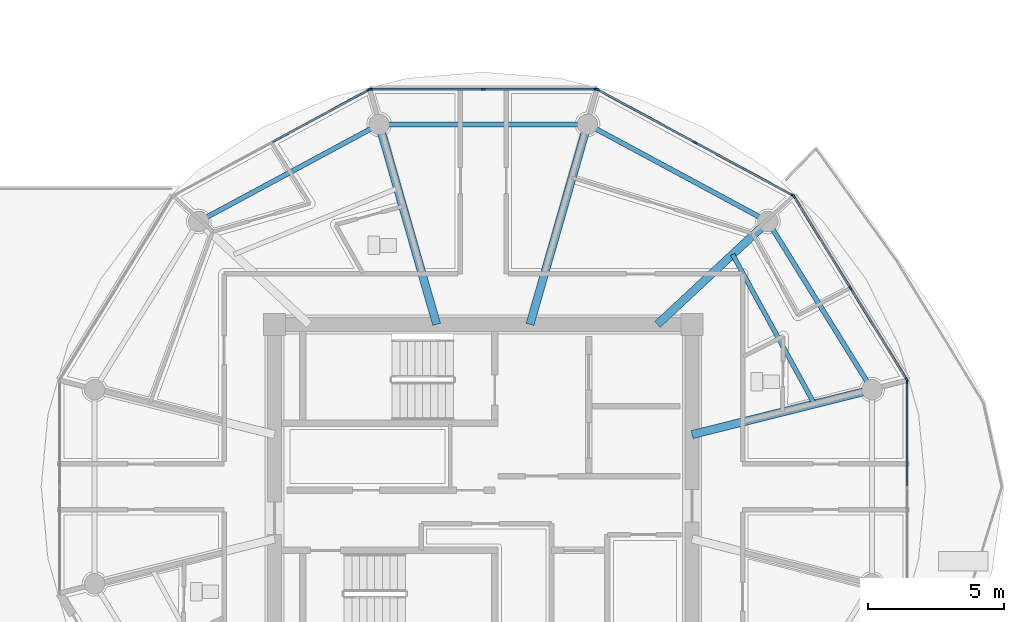
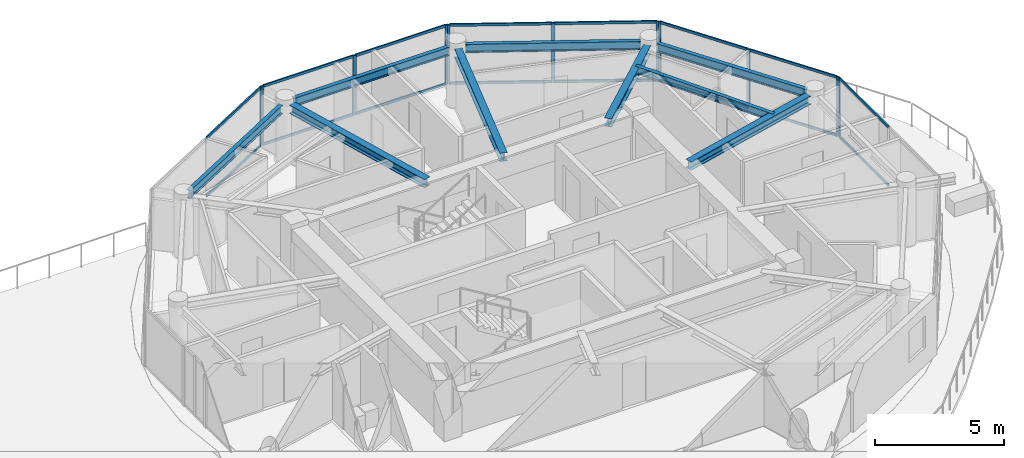
# One storey, part 10 of 30: 27 members, 9 beams, 5 elements without a shape of their own.
"""IFC4 building model written with IfcOpenShell, lengths in metres."""

from ifc_helpers import new_model, si_unit, direction, frame, origin, origin_2d, place, context, subcontext, project, spatial, rectangle, i_section, extrude, source, transform, mapped, material, layer, layer_set, material_profile, profile_set, type_object, type_shapes, element, aggregate, save


model = new_model("IFC4")

# Units and contexts
model_context = context("Model", 3, precision=1e-05, world=origin(), true_north=direction((0.0, 1.0)))
body_context = subcontext(model_context, "Body", "Model", "MODEL_VIEW")
ifc_project = project(units=[si_unit("LENGTHUNIT", "METRE"), si_unit("AREAUNIT", "SQUARE_METRE"), si_unit("VOLUMEUNIT", "CUBIC_METRE"), si_unit("PLANEANGLEUNIT", "RADIAN"), si_unit("MASSUNIT", "GRAM", prefix="KILO")], contexts=[model_context])

# Site, building, storey
site_placement = place(None, origin())
site = spatial("IfcSite", under=ifc_project, at=site_placement, CompositionType="ELEMENT")
building_placement = place(site_placement, origin())
building = spatial("IfcBuilding", under=site, at=building_placement, Name="Norrkilde Senior Care Towers", CompositionType="ELEMENT")
storey_placement = place(building_placement, frame((0.0, 0.0, 232.199951171875)))
storey = spatial("IfcBuildingStorey", under=building, at=storey_placement, Name="L72", CompositionType="ELEMENT", Elevation=232.199951171875)

# Beams
ifc_material_1 = material(Name="Steel S355", Category="steel")
ifc_material_profile_1 = material_profile(ifc_material_1, i_section(OverallWidth=0.179931640625, OverallDepth=0.39990234375, WebThickness=0.008544921875, FlangeThickness=0.013427734375, FilletRadius=0.02099609375, at=origin_2d()), Name="IPE 400")
ifc_profile_set_1 = profile_set([ifc_material_profile_1], Name="Steel S355")
beam_type_1 = type_object("IfcBeamType", Name="Perimeter Ring Spandrel Z4 IPE400", PredefinedType="SPANDREL", material=ifc_profile_set_1)
shared_shape_1 = source(origin(), body_context, "Body", "SweptSolid", [
    extrude(i_section(OverallWidth=0.179931640625, OverallDepth=0.39990234375, WebThickness=0.008544921875, FlangeThickness=0.013427734375, FilletRadius=0.02099609375, at=origin_2d()), origin(), (0.0, 0.0, 1.0), 6.58056640625),
])
beam_1_placement = place(storey_placement, frame((42.071044921875, 3.843505859375, 2.610107421875), z_axis=(-0.526529583789, 0.850156807533, 0.0), x_axis=(-0.850156807533, -0.526529583789, 0.0)))
element("IfcBeam", 1, at=beam_1_placement, inside=storey, type_object=beam_type_1, Name="L72 Drum E Perimeter Spandrel 01", PredefinedType="SPANDREL", context=body_context, shape_type="MappedRepresentation", body=[
    mapped(shared_shape_1, transform((0.0, 0.0, 0.0), x_axis=(1.0, 0.0, 0.0), y_axis=(0.0, 1.0, 0.0), z_axis=(0.0, 0.0, 1.0), scale=1.0)),
])
ifc_material_profile_2 = material_profile(ifc_material_1, i_section(OverallWidth=0.300048828125, OverallDepth=0.39990234375, WebThickness=0.013427734375, FlangeThickness=0.02392578125, FilletRadius=0.027099609375, at=origin_2d()), Name="HEB 400")
ifc_profile_set_2 = profile_set([ifc_material_profile_2], Name="Steel S355")
beam_type_2 = type_object("IfcBeamType", Name="Radial Floor Beam Z4 HEB400", PredefinedType="BEAM", material=ifc_profile_set_2)
shared_shape_2 = source(origin(), body_context, "Body", "SweptSolid", [
    extrude(i_section(OverallWidth=0.300048828125, OverallDepth=0.39990234375, WebThickness=0.013427734375, FlangeThickness=0.02392578125, FilletRadius=0.027099609375, at=origin_2d()), origin(), (0.0, 0.0, 1.0), 6.465087890625),
])
beam_2_placement = place(storey_placement, frame((35.64990234375, 1.910888671875, 2.610107421875), z_axis=(0.970195788563, 0.242322371758, 0.0), x_axis=(-0.242322371758, 0.970195788563, 0.0)))
element("IfcBeam", 2, at=beam_2_placement, inside=storey, type_object=beam_type_2, Name="L72 Drum E Radial Floor Beam 01", PredefinedType="BEAM", context=body_context, shape_type="MappedRepresentation", body=[
    mapped(shared_shape_2, transform((0.0, 0.0, 0.0), x_axis=(1.0, 0.0, 0.0), y_axis=(0.0, 1.0, 0.0), z_axis=(0.0, 0.0, 1.0), scale=1.0)),
])
shared_shape_3 = source(origin(), body_context, "Body", "SweptSolid", [
    extrude(i_section(OverallWidth=0.179931640625, OverallDepth=0.39990234375, WebThickness=0.008544921875, FlangeThickness=0.013427734375, FilletRadius=0.02099609375, at=origin_2d()), origin(), (0.0, 0.0, 1.0), 6.839111328125),
])
for number, where, z_axis, x_axis, name in (
    (3, (38.134765625, 9.881591796875, 2.610107421875), (-0.880563930732, 0.473927382511, 0.0), (-0.473927382511, -0.880563930732, 0.0), "L72 Drum E Perimeter Spandrel 02"),
    (4, (23.887451171875, 13.122802734375, 2.610107421875), (-0.880563930732, -0.473927382511, 0.0), (0.473927382511, -0.880563930732, 0.0), "L72 Drum E Perimeter Spandrel 04"),
):
    element("IfcBeam", number, at=place(storey_placement, frame(where, z_axis=z_axis, x_axis=x_axis)), inside=storey, type_object=beam_type_1, Name=name, PredefinedType="SPANDREL", context=body_context, shape_type="MappedRepresentation", body=[
        mapped(shared_shape_3, transform((0.0, 0.0, 0.0), x_axis=(1.0, 0.0, 0.0), y_axis=(0.0, 1.0, 0.0), z_axis=(0.0, 0.0, 1.0), scale=1.0)),
    ])
shared_shape_4 = source(origin(), body_context, "Body", "SweptSolid", [
    extrude(i_section(OverallWidth=0.300048828125, OverallDepth=0.39990234375, WebThickness=0.013427734375, FlangeThickness=0.02392578125, FilletRadius=0.027099609375, at=origin_2d()), origin(), (0.0, 0.0, 1.0), 5.197998046875),
])
beam_3_placement = place(storey_placement, frame((34.3828125, 5.949951171875, 2.610107421875), z_axis=(0.731448749334, 0.681896419625, 0.0), x_axis=(-0.681896419625, 0.731448749334, 0.0)))
element("IfcBeam", 5, at=beam_3_placement, inside=storey, type_object=beam_type_2, Name="L72 Drum E Radial Floor Beam 02", PredefinedType="BEAM", context=body_context, shape_type="MappedRepresentation", body=[
    mapped(shared_shape_4, transform((0.0, 0.0, 0.0), x_axis=(1.0, 0.0, 0.0), y_axis=(0.0, 1.0, 0.0), z_axis=(0.0, 0.0, 1.0), scale=1.0)),
])
shared_shape_5 = source(origin(), body_context, "Body", "SweptSolid", [
    extrude(i_section(OverallWidth=0.179931640625, OverallDepth=0.39990234375, WebThickness=0.008544921875, FlangeThickness=0.013427734375, FilletRadius=0.02099609375, at=origin_2d()), origin(), (0.0, 0.0, 1.0), 6.96533203125),
])
type_shapes(beam_type_1, [shared_shape_1, shared_shape_3, shared_shape_5])
beam_4_placement = place(storey_placement, frame((31.482666015625, 13.281494140625, 2.610107421875), z_axis=(-1.0, 0.0, 0.0), x_axis=(0.0, -1.0, 0.0)))
element("IfcBeam", 6, at=beam_4_placement, inside=storey, type_object=beam_type_1, Name="L72 Drum E Perimeter Spandrel 03", PredefinedType="SPANDREL", context=body_context, shape_type="MappedRepresentation", body=[
    mapped(shared_shape_5, transform((0.0, 0.0, 0.0), x_axis=(1.0, 0.0, 0.0), y_axis=(0.0, 1.0, 0.0), z_axis=(0.0, 0.0, 1.0), scale=1.0)),
])
shared_shape_6 = source(origin(), body_context, "Body", "SweptSolid", [
    extrude(i_section(OverallWidth=0.300048828125, OverallDepth=0.39990234375, WebThickness=0.013427734375, FlangeThickness=0.02392578125, FilletRadius=0.027099609375, at=origin_2d()), origin(), (0.0, 0.0, 1.0), 7.29345703125),
])
type_shapes(beam_type_2, [shared_shape_2, shared_shape_4, shared_shape_6])
for number, where, z_axis, x_axis, name in (
    (7, (29.710205078125, 5.949951171875, 2.610107421875), (0.276263751906, 0.961081858836, 0.0), (-0.961081858836, 0.276263751906, 0.0), "L72 Drum E Radial Floor Beam 03"),
    (8, (26.289794921875, 5.949951171875, 2.610107421875), (-0.276263751906, 0.961081858836, 0.0), (-0.961081858836, -0.276263751906, 0.0), "L72 Drum E Radial Floor Beam 04"),
):
    element("IfcBeam", number, at=place(storey_placement, frame(where, z_axis=z_axis, x_axis=x_axis)), inside=storey, type_object=beam_type_2, Name=name, PredefinedType="BEAM", context=body_context, shape_type="MappedRepresentation", body=[
        mapped(shared_shape_6, transform((0.0, 0.0, 0.0), x_axis=(1.0, 0.0, 0.0), y_axis=(0.0, 1.0, 0.0), z_axis=(0.0, 0.0, 1.0), scale=1.0)),
    ])
ifc_material_profile_3 = material_profile(ifc_material_1, i_section(OverallWidth=0.169921875, OverallDepth=0.360107421875, WebThickness=0.008056640625, FlangeThickness=0.0126953125, FilletRadius=0.01806640625, at=origin_2d()), Name="IPE 360")
ifc_profile_set_3 = profile_set([ifc_material_profile_3], Name="Steel S355")
beam_type_3 = type_object("IfcBeamType", Name="Secondary Floor Joist IPE360", PredefinedType="JOIST", material=ifc_profile_set_3)
shared_shape_7 = source(origin(), body_context, "Body", "SweptSolid", [
    extrude(i_section(OverallWidth=0.169921875, OverallDepth=0.360107421875, WebThickness=0.008056640625, FlangeThickness=0.0126953125, FilletRadius=0.01806640625, at=origin_2d()), origin(), (0.0, 0.0, 1.0), 6.25146484375),
])
type_shapes(beam_type_3, [shared_shape_7])
beam_5_placement = place(storey_placement, frame((40.13623046875, 3.031494140625, 2.630126953125), z_axis=(-0.480115752653, 0.877205143655, 0.0), x_axis=(-0.877205143655, -0.480115752653, 0.0)))
element("IfcBeam", 9, at=beam_5_placement, inside=storey, type_object=beam_type_3, Name="L72 Drum E Secondary Floor Joist 1", PredefinedType="JOIST", context=body_context, shape_type="MappedRepresentation", body=[
    mapped(shared_shape_7, transform((0.0, 0.0, 0.0), x_axis=(1.0, 0.0, 0.0), y_axis=(0.0, 1.0, 0.0), z_axis=(0.0, 0.0, 1.0), scale=1.0)),
])

# Curtain wall, members
ifc_material_2 = material(Name="Triple Low-E Insulated Glazing", Category="glass")
ifc_layer = layer(ifc_material_2, 0.18505859375)
ifc_layer_set = layer_set([ifc_layer], Name="Triple Low-E Insulated Glazing")
curtain_wall_type = type_object("IfcCurtainWallType", Name="CW6 Zone 4 Crown Pavilion Curtain Wall", PredefinedType="NOTDEFINED", material=ifc_layer_set)
curtain_wall_1_placement = place(storey_placement, origin())
curtain_wall_1 = element("IfcCurtainWall", 10, at=curtain_wall_1_placement, inside=storey, type_object=curtain_wall_type, Name="L72 Drum E Curtain Wall 00", PredefinedType="NOTDEFINED")
ifc_material_3 = material(Name="Anodised Aluminium", Category="aluminium")
ifc_material_profile_4 = material_profile(ifc_material_3, rectangle(XDim=0.06494140625, YDim=0.14990234375, at=origin_2d()), Name="ALU MULL 65x150")
ifc_profile_set_4 = profile_set([ifc_material_profile_4], Name="Anodised Aluminium")
member_type_1 = type_object("IfcMemberType", Name="Curtain Wall Mullion Z3-Z4 65x150", PredefinedType="MULLION", material=ifc_profile_set_4)
shared_shape_8 = source(origin(), body_context, "Body", "SweptSolid", [
    extrude(rectangle(XDim=0.06494140625, YDim=0.14990234375, at=origin_2d()), origin(), (0.0, 0.0, 1.0), 2.81005859375),
])
type_shapes(member_type_1, [shared_shape_8])
member_1_placement = place(storey_placement, frame((39.38720703125, 10.635498046875, 0.0), z_axis=(0.0, 0.0, 1.0), x_axis=(0.851562727283, 0.524252726748, 0.0)))
member_1 = element("IfcMember", 11, at=member_1_placement, type_object=member_type_1, Name="CW-6 mullion 1", PredefinedType="MULLION", context=body_context, shape_type="MappedRepresentation", body=[
    mapped(shared_shape_8, transform((0.0, 0.0, 0.0), x_axis=(1.0, 0.0, 0.0), y_axis=(0.0, 1.0, 0.0), z_axis=(0.0, 0.0, 1.0), scale=1.0)),
])
member_2_placement = place(storey_placement, frame((41.451171875, 7.282958984375, 0.0), z_axis=(0.0, 0.0, 1.0), x_axis=(0.851562727283, 0.524252726748, 0.0)))
member_2 = element("IfcMember", 12, at=member_2_placement, type_object=member_type_1, Name="CW-6 mullion 2", PredefinedType="MULLION", context=body_context, shape_type="MappedRepresentation", body=[
    mapped(shared_shape_8, transform((0.0, 0.0, 0.0), x_axis=(1.0, 0.0, 0.0), y_axis=(0.0, 1.0, 0.0), z_axis=(0.0, 0.0, 1.0), scale=1.0)),
])
member_3_placement = place(storey_placement, frame((43.51513671875, 3.9306640625, 0.0), z_axis=(0.0, 0.0, 1.0), x_axis=(0.851562727283, 0.524252726748, 0.0)))
member_3 = element("IfcMember", 13, at=member_3_placement, type_object=member_type_1, Name="CW-6 mullion 3", PredefinedType="MULLION", context=body_context, shape_type="MappedRepresentation", body=[
    mapped(shared_shape_8, transform((0.0, 0.0, 0.0), x_axis=(1.0, 0.0, 0.0), y_axis=(0.0, 1.0, 0.0), z_axis=(0.0, 0.0, 1.0), scale=1.0)),
])

curtain_wall_2_placement = place(storey_placement, origin())
curtain_wall_2 = element("IfcCurtainWall", 14, at=curtain_wall_2_placement, inside=storey, type_object=curtain_wall_type, Name="L72 Drum E Curtain Wall 01", PredefinedType="NOTDEFINED")
member_4_placement = place(storey_placement, frame((32.1904296875, 14.55078125, 0.0), z_axis=(0.0, 0.0, 1.0), x_axis=(0.476132676136, 0.879373455772, 0.0)))
member_4 = element("IfcMember", 15, at=member_4_placement, type_object=member_type_1, Name="CW-6 mullion 1", PredefinedType="MULLION", context=body_context, shape_type="MappedRepresentation", body=[
    mapped(shared_shape_8, transform((0.0, 0.0, 0.0), x_axis=(1.0, 0.0, 0.0), y_axis=(0.0, 1.0, 0.0), z_axis=(0.0, 0.0, 1.0), scale=1.0)),
])
member_5_placement = place(storey_placement, frame((35.76611328125, 12.61474609375, 0.0), z_axis=(0.0, 0.0, 1.0), x_axis=(0.476132676136, 0.879373455772, 0.0)))
member_5 = element("IfcMember", 16, at=member_5_placement, type_object=member_type_1, Name="CW-6 mullion 2", PredefinedType="MULLION", context=body_context, shape_type="MappedRepresentation", body=[
    mapped(shared_shape_8, transform((0.0, 0.0, 0.0), x_axis=(1.0, 0.0, 0.0), y_axis=(0.0, 1.0, 0.0), z_axis=(0.0, 0.0, 1.0), scale=1.0)),
])
member_6_placement = place(storey_placement, frame((39.341796875, 10.6787109375, 0.0), z_axis=(0.0, 0.0, 1.0), x_axis=(0.476132676136, 0.879373455772, 0.0)))
member_6 = element("IfcMember", 17, at=member_6_placement, type_object=member_type_1, Name="CW-6 mullion 3", PredefinedType="MULLION", context=body_context, shape_type="MappedRepresentation", body=[
    mapped(shared_shape_8, transform((0.0, 0.0, 0.0), x_axis=(1.0, 0.0, 0.0), y_axis=(0.0, 1.0, 0.0), z_axis=(0.0, 0.0, 1.0), scale=1.0)),
])

curtain_wall_3_placement = place(storey_placement, origin())
curtain_wall_3 = element("IfcCurtainWall", 18, at=curtain_wall_3_placement, inside=storey, type_object=curtain_wall_type, Name="L72 Drum E Curtain Wall 02", PredefinedType="NOTDEFINED")
member_7_placement = place(storey_placement, frame((23.87060546875, 14.566162109375, 0.0), z_axis=(0.0, 0.0, 1.0), x_axis=(0.0, 1.0, 0.0)))
member_7 = element("IfcMember", 19, at=member_7_placement, type_object=member_type_1, Name="CW-6 mullion 1", PredefinedType="MULLION", context=body_context, shape_type="MappedRepresentation", body=[
    mapped(shared_shape_8, transform((0.0, 0.0, 0.0), x_axis=(1.0, 0.0, 0.0), y_axis=(0.0, 1.0, 0.0), z_axis=(0.0, 0.0, 1.0), scale=1.0)),
])
member_8_placement = place(storey_placement, frame((28.0, 14.566162109375, 0.0), z_axis=(0.0, 0.0, 1.0), x_axis=(0.0, 1.0, 0.0)))
member_8 = element("IfcMember", 20, at=member_8_placement, type_object=member_type_1, Name="CW-6 mullion 2", PredefinedType="MULLION", context=body_context, shape_type="MappedRepresentation", body=[
    mapped(shared_shape_8, transform((0.0, 0.0, 0.0), x_axis=(1.0, 0.0, 0.0), y_axis=(0.0, 1.0, 0.0), z_axis=(0.0, 0.0, 1.0), scale=1.0)),
])
member_9_placement = place(storey_placement, frame((32.12939453125, 14.566162109375, 0.0), z_axis=(0.0, 0.0, 1.0), x_axis=(0.0, 1.0, 0.0)))
member_9 = element("IfcMember", 21, at=member_9_placement, type_object=member_type_1, Name="CW-6 mullion 3", PredefinedType="MULLION", context=body_context, shape_type="MappedRepresentation", body=[
    mapped(shared_shape_8, transform((0.0, 0.0, 0.0), x_axis=(1.0, 0.0, 0.0), y_axis=(0.0, 1.0, 0.0), z_axis=(0.0, 0.0, 1.0), scale=1.0)),
])

# Curtain wall, member
curtain_wall_4_placement = place(storey_placement, origin())
curtain_wall_4 = element("IfcCurtainWall", 22, at=curtain_wall_4_placement, inside=storey, type_object=curtain_wall_type, Name="L72 Drum E Curtain Wall 03", PredefinedType="NOTDEFINED")
member_10_placement = place(storey_placement, frame((23.8095703125, 14.55078125, 0.0), z_axis=(0.0, 0.0, 1.0), x_axis=(-0.476132676136, 0.879373455772, 0.0)))
member_10 = element("IfcMember", 23, at=member_10_placement, type_object=member_type_1, Name="CW-6 mullion 3", PredefinedType="MULLION", context=body_context, shape_type="MappedRepresentation", body=[
    mapped(shared_shape_8, transform((0.0, 0.0, 0.0), x_axis=(1.0, 0.0, 0.0), y_axis=(0.0, 1.0, 0.0), z_axis=(0.0, 0.0, 1.0), scale=1.0)),
])

curtain_wall_5_placement = place(storey_placement, origin())
curtain_wall_5 = element("IfcCurtainWall", 24, at=curtain_wall_5_placement, inside=storey, type_object=curtain_wall_type, Name="L72 Drum E Curtain Wall 11", PredefinedType="NOTDEFINED")
member_11_placement = place(storey_placement, frame((43.531982421875, 3.87060546875, 0.0), z_axis=(0.0, 0.0, 1.0), x_axis=(1.0, 0.0, 0.0)))
member_11 = element("IfcMember", 25, at=member_11_placement, type_object=member_type_1, Name="CW-6 mullion 1", PredefinedType="MULLION", context=body_context, shape_type="MappedRepresentation", body=[
    mapped(shared_shape_8, transform((0.0, 0.0, 0.0), x_axis=(1.0, 0.0, 0.0), y_axis=(0.0, 1.0, 0.0), z_axis=(0.0, 0.0, 1.0), scale=1.0)),
])

# Member
ifc_material_profile_5 = material_profile(ifc_material_3, rectangle(XDim=0.06005859375, YDim=0.1201171875, at=origin_2d()), Name="ALU TRAN 60x120")
ifc_profile_set_5 = profile_set([ifc_material_profile_5], Name="Anodised Aluminium")
member_type_2 = type_object("IfcMemberType", Name="Curtain Wall Transom Typical 60x120", PredefinedType="USERDEFINED", material=ifc_profile_set_5)
shared_shape_9 = source(origin(), body_context, "Body", "SweptSolid", [
    extrude(rectangle(XDim=0.06005859375, YDim=0.1201171875, at=origin_2d()), origin(), (0.0, 0.0, 1.0), 4.001220703125),
])
member_12_placement = place(storey_placement, frame((32.218994140625, 14.53515625, 0.030029296875), z_axis=(0.879381388479, -0.476118024861, 0.0), x_axis=(0.476118024861, 0.879381388479, 0.0)))
member_12 = element("IfcMember", 26, at=member_12_placement, type_object=member_type_2, Name="CW-6 transom 1.1", ObjectType="TRANSOM", PredefinedType="USERDEFINED", context=body_context, shape_type="MappedRepresentation", body=[
    mapped(shared_shape_9, transform((0.0, 0.0, 0.0), x_axis=(1.0, 0.0, 0.0), y_axis=(0.0, 1.0, 0.0), z_axis=(0.0, 0.0, 1.0), scale=1.0)),
])

member_13_placement = place(storey_placement, frame((32.218994140625, 14.53515625, 2.780029296875), z_axis=(0.879381388479, -0.476118024861, 0.0), x_axis=(0.476118024861, 0.879381388479, 0.0)))
member_13 = element("IfcMember", 27, at=member_13_placement, type_object=member_type_2, Name="CW-6 transom 1.2", ObjectType="TRANSOM", PredefinedType="USERDEFINED", context=body_context, shape_type="MappedRepresentation", body=[
    mapped(shared_shape_9, transform((0.0, 0.0, 0.0), x_axis=(1.0, 0.0, 0.0), y_axis=(0.0, 1.0, 0.0), z_axis=(0.0, 0.0, 1.0), scale=1.0)),
])

member_14_placement = place(storey_placement, frame((35.794677734375, 12.59912109375, 0.030029296875), z_axis=(0.879381388479, -0.476118024861, 0.0), x_axis=(0.476118024861, 0.879381388479, 0.0)))
member_14 = element("IfcMember", 28, at=member_14_placement, type_object=member_type_2, Name="CW-6 transom 2.1", ObjectType="TRANSOM", PredefinedType="USERDEFINED", context=body_context, shape_type="MappedRepresentation", body=[
    mapped(shared_shape_9, transform((0.0, 0.0, 0.0), x_axis=(1.0, 0.0, 0.0), y_axis=(0.0, 1.0, 0.0), z_axis=(0.0, 0.0, 1.0), scale=1.0)),
])

member_15_placement = place(storey_placement, frame((35.794677734375, 12.59912109375, 2.780029296875), z_axis=(0.879381388479, -0.476118024861, 0.0), x_axis=(0.476118024861, 0.879381388479, 0.0)))
member_15 = element("IfcMember", 29, at=member_15_placement, type_object=member_type_2, Name="CW-6 transom 2.2", ObjectType="TRANSOM", PredefinedType="USERDEFINED", context=body_context, shape_type="MappedRepresentation", body=[
    mapped(shared_shape_9, transform((0.0, 0.0, 0.0), x_axis=(1.0, 0.0, 0.0), y_axis=(0.0, 1.0, 0.0), z_axis=(0.0, 0.0, 1.0), scale=1.0)),
])

aggregate(curtain_wall_2, [member_4, member_5, member_6, member_12, member_13, member_14, member_15])

member_16_placement = place(storey_placement, frame((20.262451171875, 12.630126953125, 0.030029296875), z_axis=(0.879381388479, 0.476118024861, 0.0), x_axis=(-0.476118024861, 0.879381388479, 0.0)))
member_16 = element("IfcMember", 30, at=member_16_placement, type_object=member_type_2, Name="CW-6 transom 2.1", ObjectType="TRANSOM", PredefinedType="USERDEFINED", context=body_context, shape_type="MappedRepresentation", body=[
    mapped(shared_shape_9, transform((0.0, 0.0, 0.0), x_axis=(1.0, 0.0, 0.0), y_axis=(0.0, 1.0, 0.0), z_axis=(0.0, 0.0, 1.0), scale=1.0)),
])

member_17_placement = place(storey_placement, frame((20.262451171875, 12.630126953125, 2.780029296875), z_axis=(0.879381388479, 0.476118024861, 0.0), x_axis=(-0.476118024861, 0.879381388479, 0.0)))
member_17 = element("IfcMember", 31, at=member_17_placement, type_object=member_type_2, Name="CW-6 transom 2.2", ObjectType="TRANSOM", PredefinedType="USERDEFINED", context=body_context, shape_type="MappedRepresentation", body=[
    mapped(shared_shape_9, transform((0.0, 0.0, 0.0), x_axis=(1.0, 0.0, 0.0), y_axis=(0.0, 1.0, 0.0), z_axis=(0.0, 0.0, 1.0), scale=1.0)),
])

aggregate(curtain_wall_4, [member_10, member_16, member_17])

shared_shape_10 = source(origin(), body_context, "Body", "SweptSolid", [
    extrude(rectangle(XDim=0.06005859375, YDim=0.1201171875, at=origin_2d()), origin(), (0.0, 0.0, 1.0), 4.064453125),
])
member_18_placement = place(storey_placement, frame((23.903076171875, 14.566162109375, 0.030029296875), z_axis=(1.0, 0.0, 0.0), x_axis=(0.0, 1.0, 0.0)))
member_18 = element("IfcMember", 32, at=member_18_placement, type_object=member_type_2, Name="CW-6 transom 1.1", ObjectType="TRANSOM", PredefinedType="USERDEFINED", context=body_context, shape_type="MappedRepresentation", body=[
    mapped(shared_shape_10, transform((0.0, 0.0, 0.0), x_axis=(1.0, 0.0, 0.0), y_axis=(0.0, 1.0, 0.0), z_axis=(0.0, 0.0, 1.0), scale=1.0)),
])

member_19_placement = place(storey_placement, frame((23.903076171875, 14.566162109375, 2.780029296875), z_axis=(1.0, 0.0, 0.0), x_axis=(0.0, 1.0, 0.0)))
member_19 = element("IfcMember", 33, at=member_19_placement, type_object=member_type_2, Name="CW-6 transom 1.2", ObjectType="TRANSOM", PredefinedType="USERDEFINED", context=body_context, shape_type="MappedRepresentation", body=[
    mapped(shared_shape_10, transform((0.0, 0.0, 0.0), x_axis=(1.0, 0.0, 0.0), y_axis=(0.0, 1.0, 0.0), z_axis=(0.0, 0.0, 1.0), scale=1.0)),
])

member_20_placement = place(storey_placement, frame((28.032470703125, 14.566162109375, 0.030029296875), z_axis=(1.0, 0.0, 0.0), x_axis=(0.0, 1.0, 0.0)))
member_20 = element("IfcMember", 34, at=member_20_placement, type_object=member_type_2, Name="CW-6 transom 2.1", ObjectType="TRANSOM", PredefinedType="USERDEFINED", context=body_context, shape_type="MappedRepresentation", body=[
    mapped(shared_shape_10, transform((0.0, 0.0, 0.0), x_axis=(1.0, 0.0, 0.0), y_axis=(0.0, 1.0, 0.0), z_axis=(0.0, 0.0, 1.0), scale=1.0)),
])

member_21_placement = place(storey_placement, frame((28.032470703125, 14.566162109375, 2.780029296875), z_axis=(1.0, 0.0, 0.0), x_axis=(0.0, 1.0, 0.0)))
member_21 = element("IfcMember", 35, at=member_21_placement, type_object=member_type_2, Name="CW-6 transom 2.2", ObjectType="TRANSOM", PredefinedType="USERDEFINED", context=body_context, shape_type="MappedRepresentation", body=[
    mapped(shared_shape_10, transform((0.0, 0.0, 0.0), x_axis=(1.0, 0.0, 0.0), y_axis=(0.0, 1.0, 0.0), z_axis=(0.0, 0.0, 1.0), scale=1.0)),
])

aggregate(curtain_wall_3, [member_7, member_8, member_9, member_18, member_19, member_20, member_21])

shared_shape_11 = source(origin(), body_context, "Body", "SweptSolid", [
    extrude(rectangle(XDim=0.06005859375, YDim=0.1201171875, at=origin_2d()), origin(), (0.0, 0.0, 1.0), 3.871826171875),
])
member_22_placement = place(storey_placement, frame((39.404296875, 10.60791015625, 0.030029296875), z_axis=(0.524245179227, -0.851567373763, 0.0), x_axis=(0.851567373763, 0.524245179227, 0.0)))
member_22 = element("IfcMember", 36, at=member_22_placement, type_object=member_type_2, Name="CW-6 transom 1.1", ObjectType="TRANSOM", PredefinedType="USERDEFINED", context=body_context, shape_type="MappedRepresentation", body=[
    mapped(shared_shape_11, transform((0.0, 0.0, 0.0), x_axis=(1.0, 0.0, 0.0), y_axis=(0.0, 1.0, 0.0), z_axis=(0.0, 0.0, 1.0), scale=1.0)),
])

member_23_placement = place(storey_placement, frame((39.404296875, 10.60791015625, 2.780029296875), z_axis=(0.524245179227, -0.851567373763, 0.0), x_axis=(0.851567373763, 0.524245179227, 0.0)))
member_23 = element("IfcMember", 37, at=member_23_placement, type_object=member_type_2, Name="CW-6 transom 1.2", ObjectType="TRANSOM", PredefinedType="USERDEFINED", context=body_context, shape_type="MappedRepresentation", body=[
    mapped(shared_shape_11, transform((0.0, 0.0, 0.0), x_axis=(1.0, 0.0, 0.0), y_axis=(0.0, 1.0, 0.0), z_axis=(0.0, 0.0, 1.0), scale=1.0)),
])

member_24_placement = place(storey_placement, frame((41.46826171875, 7.25537109375, 0.030029296875), z_axis=(0.524245179227, -0.851567373763, 0.0), x_axis=(0.851567373763, 0.524245179227, 0.0)))
member_24 = element("IfcMember", 38, at=member_24_placement, type_object=member_type_2, Name="CW-6 transom 2.1", ObjectType="TRANSOM", PredefinedType="USERDEFINED", context=body_context, shape_type="MappedRepresentation", body=[
    mapped(shared_shape_11, transform((0.0, 0.0, 0.0), x_axis=(1.0, 0.0, 0.0), y_axis=(0.0, 1.0, 0.0), z_axis=(0.0, 0.0, 1.0), scale=1.0)),
])

member_25_placement = place(storey_placement, frame((41.46826171875, 7.25537109375, 2.780029296875), z_axis=(0.524245179227, -0.851567373763, 0.0), x_axis=(0.851567373763, 0.524245179227, 0.0)))
member_25 = element("IfcMember", 39, at=member_25_placement, type_object=member_type_2, Name="CW-6 transom 2.2", ObjectType="TRANSOM", PredefinedType="USERDEFINED", context=body_context, shape_type="MappedRepresentation", body=[
    mapped(shared_shape_11, transform((0.0, 0.0, 0.0), x_axis=(1.0, 0.0, 0.0), y_axis=(0.0, 1.0, 0.0), z_axis=(0.0, 0.0, 1.0), scale=1.0)),
])

aggregate(curtain_wall_1, [member_1, member_2, member_3, member_22, member_23, member_24, member_25])

shared_shape_12 = source(origin(), body_context, "Body", "SweptSolid", [
    extrude(rectangle(XDim=0.06005859375, YDim=0.1201171875, at=origin_2d()), origin(), (0.0, 0.0, 1.0), 3.805419921875),
])
type_shapes(member_type_2, [shared_shape_9, shared_shape_10, shared_shape_11, shared_shape_12])
member_26_placement = place(storey_placement, frame((43.531982421875, 3.837890625, 0.030029296875), z_axis=(0.0, -1.0, 0.0), x_axis=(1.0, 0.0, 0.0)))
member_26 = element("IfcMember", 40, at=member_26_placement, type_object=member_type_2, Name="CW-6 transom 1.1", ObjectType="TRANSOM", PredefinedType="USERDEFINED", context=body_context, shape_type="MappedRepresentation", body=[
    mapped(shared_shape_12, transform((0.0, 0.0, 0.0), x_axis=(1.0, 0.0, 0.0), y_axis=(0.0, 1.0, 0.0), z_axis=(0.0, 0.0, 1.0), scale=1.0)),
])

member_27_placement = place(storey_placement, frame((43.531982421875, 3.837890625, 2.780029296875), z_axis=(0.0, -1.0, 0.0), x_axis=(1.0, 0.0, 0.0)))
member_27 = element("IfcMember", 41, at=member_27_placement, type_object=member_type_2, Name="CW-6 transom 1.2", ObjectType="TRANSOM", PredefinedType="USERDEFINED", context=body_context, shape_type="MappedRepresentation", body=[
    mapped(shared_shape_12, transform((0.0, 0.0, 0.0), x_axis=(1.0, 0.0, 0.0), y_axis=(0.0, 1.0, 0.0), z_axis=(0.0, 0.0, 1.0), scale=1.0)),
])

aggregate(curtain_wall_5, [member_11, member_26, member_27])

save(model, "model.ifc")
